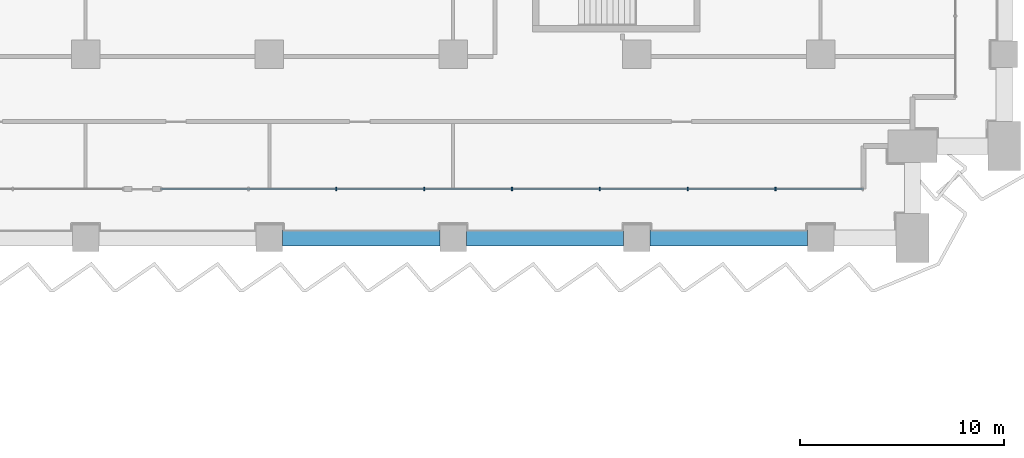
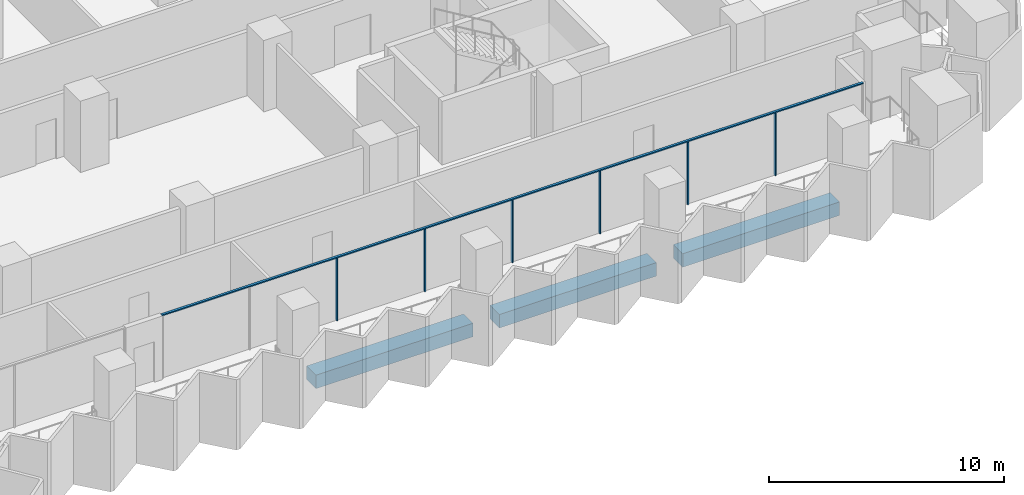
# One storey, part 5 of 29: 7 members, 3 beams, 1 element without a shape of its own.
"""IFC4 building model written with IfcOpenShell, lengths in metres."""

from ifc_helpers import new_model, si_unit, direction, frame, origin, origin_2d, place, context, subcontext, project, spatial, rectangle, extrude, material, material_profile, profile_set, type_object, element, aggregate, save


model = new_model("IFC4")

# Units and contexts
model_context = context("Model", 3, precision=1e-05, world=origin(), true_north=direction((0.0, 1.0)))
body_context = subcontext(model_context, "Body", "Model", "MODEL_VIEW")
ifc_project = project(units=[si_unit("LENGTHUNIT", "METRE"), si_unit("AREAUNIT", "SQUARE_METRE"), si_unit("VOLUMEUNIT", "CUBIC_METRE"), si_unit("PLANEANGLEUNIT", "RADIAN"), si_unit("MASSUNIT", "GRAM", prefix="KILO")], contexts=[model_context])

# Site, building, storey
site_placement = place(None, origin())
site = spatial("IfcSite", under=ifc_project, at=site_placement, CompositionType="ELEMENT")
building_placement = place(site_placement, origin())
building = spatial("IfcBuilding", under=site, at=building_placement, Name="Hunhe Ridgeline Campus", CompositionType="ELEMENT")
storey_placement = place(building_placement, frame((0.0, 0.0, 54.300048828125)))
storey = spatial("IfcBuildingStorey", under=building, at=storey_placement, Name="L12", CompositionType="ELEMENT", Elevation=54.300048828125)

# Curtain wall, members
ifc_material_1 = material(Name="Aluminium 6063", Category="aluminium")
curtain_wall_type = type_object("IfcCurtainWallType", Name="Curtain wall CW-1", PredefinedType="NOTDEFINED", material=ifc_material_1)
curtain_wall_placement = place(storey_placement, origin())
curtain_wall = element("IfcCurtainWall", 1, at=curtain_wall_placement, inside=storey, type_object=curtain_wall_type, Name="Curtain wall 13", PredefinedType="NOTDEFINED")
ifc_material_profile_1 = material_profile(ifc_material_1, rectangle(XDim=0.159912109375, YDim=0.06005859375, at=origin_2d()))
ifc_profile_set_1 = profile_set([ifc_material_profile_1], Name="Aluminium 6063")
member_type_1 = type_object("IfcMemberType", Name="CW-1 aluminium mullion", PredefinedType="MULLION", material=ifc_profile_set_1)
member_1_placement = place(storey_placement, frame((66.280517578125, 56.40087890625, 0.0), z_axis=(0.0, 0.0, 1.0), x_axis=(-3.602063e-06, 0.999999999994, 0.0)))
member_1 = element("IfcMember", 2, at=member_1_placement, type_object=member_type_1, Name="CW-1 mullion 3", PredefinedType="MULLION", context=body_context, shape_type="SweptSolid", body=[
    extrude(rectangle(XDim=0.159912109375, YDim=0.06005859375, at=origin_2d()), origin(), (0.0, 0.0, 1.0), 3.239990234375),
])
member_2_placement = place(storey_placement, frame((70.58349609375, 56.40087890625, 0.0), z_axis=(0.0, 0.0, 1.0), x_axis=(-3.602063e-06, 0.999999999994, 0.0)))
member_2 = element("IfcMember", 3, at=member_2_placement, type_object=member_type_1, Name="CW-1 mullion 4", PredefinedType="MULLION", context=body_context, shape_type="SweptSolid", body=[
    extrude(rectangle(XDim=0.159912109375, YDim=0.06005859375, at=origin_2d()), origin(), (0.0, 0.0, 1.0), 3.239990234375),
])
member_3_placement = place(storey_placement, frame((74.88671875, 56.40087890625, 0.0), z_axis=(0.0, 0.0, 1.0), x_axis=(-3.602063e-06, 0.999999999994, 0.0)))
member_3 = element("IfcMember", 4, at=member_3_placement, type_object=member_type_1, Name="CW-1 mullion 5", PredefinedType="MULLION", context=body_context, shape_type="SweptSolid", body=[
    extrude(rectangle(XDim=0.159912109375, YDim=0.06005859375, at=origin_2d()), origin(), (0.0, 0.0, 1.0), 3.239990234375),
])
member_4_placement = place(storey_placement, frame((79.189697265625, 56.40087890625, 0.0), z_axis=(0.0, 0.0, 1.0), x_axis=(-3.602063e-06, 0.999999999994, 0.0)))
member_4 = element("IfcMember", 5, at=member_4_placement, type_object=member_type_1, Name="CW-1 mullion 6", PredefinedType="MULLION", context=body_context, shape_type="SweptSolid", body=[
    extrude(rectangle(XDim=0.159912109375, YDim=0.06005859375, at=origin_2d()), origin(), (0.0, 0.0, 1.0), 3.239990234375),
])
member_5_placement = place(storey_placement, frame((83.492919921875, 56.40087890625, 0.0), z_axis=(0.0, 0.0, 1.0), x_axis=(-3.602063e-06, 0.999999999994, 0.0)))
member_5 = element("IfcMember", 6, at=member_5_placement, type_object=member_type_1, Name="CW-1 mullion 7", PredefinedType="MULLION", context=body_context, shape_type="SweptSolid", body=[
    extrude(rectangle(XDim=0.159912109375, YDim=0.06005859375, at=origin_2d()), origin(), (0.0, 0.0, 1.0), 3.239990234375),
])
member_6_placement = place(storey_placement, frame((87.7958984375, 56.40087890625, 0.0), z_axis=(0.0, 0.0, 1.0), x_axis=(-3.602063e-06, 0.999999999994, 0.0)))
member_6 = element("IfcMember", 7, at=member_6_placement, type_object=member_type_1, Name="CW-1 mullion 8", PredefinedType="MULLION", context=body_context, shape_type="SweptSolid", body=[
    extrude(rectangle(XDim=0.159912109375, YDim=0.06005859375, at=origin_2d()), origin(), (0.0, 0.0, 1.0), 3.239990234375),
])
ifc_material_profile_2 = material_profile(ifc_material_1, rectangle(XDim=0.1201171875, YDim=0.06005859375, at=origin_2d()))
ifc_profile_set_2 = profile_set([ifc_material_profile_2], Name="Aluminium 6063")
member_type_2 = type_object("IfcMemberType", Name="CW-1 aluminium transom", PredefinedType="USERDEFINED", material=ifc_profile_set_2)
member_7_placement = place(storey_placement, frame((57.67431640625, 56.40087890625, 3.27001953125), z_axis=(1.0, 0.0, 0.0), x_axis=(0.0, 1.0, 0.0)))
member_7 = element("IfcMember", 8, at=member_7_placement, type_object=member_type_2, Name="CW-1 transom 1", ObjectType="TRANSOM", PredefinedType="USERDEFINED", context=body_context, shape_type="SweptSolid", body=[
    extrude(rectangle(XDim=0.1201171875, YDim=0.06005859375, at=origin_2d()), origin(), (0.0, 0.0, 1.0), 34.4248046875),
])
aggregate(curtain_wall, [member_7, member_1, member_2, member_3, member_4, member_5, member_6])

# Beams
ifc_material_2 = material(Name="Concrete C60", Category="concrete")
ifc_material_profile_3 = material_profile(ifc_material_2, rectangle(XDim=0.800048828125, YDim=0.699951171875, at=origin_2d()))
ifc_profile_set_3 = profile_set([ifc_material_profile_3], Name="Concrete C60")
beam_type = type_object("IfcBeamType", Name="RC spandrel beam 800x700 Concrete C60", PredefinedType="SPANDREL", material=ifc_profile_set_3)
for number, where, z_axis, x_axis, name in (
    (9, (63.64990234375, 54.0, -0.60009765625), (1.0, 0.0, 0.0), (0.0, 1.0, 0.0), "Spandrel beam B1-14 L12"),
    (10, (72.64990234375, 54.0, -0.60009765625), (1.0, 0.0, 0.0), (0.0, 1.0, 0.0), "Spandrel beam B1-15 L12"),
    (11, (81.64990234375, 54.0, -0.60009765625), (1.0, 0.0, 0.0), (0.0, 1.0, 0.0), "Spandrel beam B1-16 L12"),
):
    element("IfcBeam", number, at=place(storey_placement, frame(where, z_axis=z_axis, x_axis=x_axis)), inside=storey, type_object=beam_type, Name=name, PredefinedType="SPANDREL", context=body_context, shape_type="SweptSolid", body=[
        extrude(rectangle(XDim=0.800048828125, YDim=0.699951171875, at=origin_2d()), origin(), (0.0, 0.0, 1.0), 7.7001953125),
    ])

save(model, "model.ifc")
